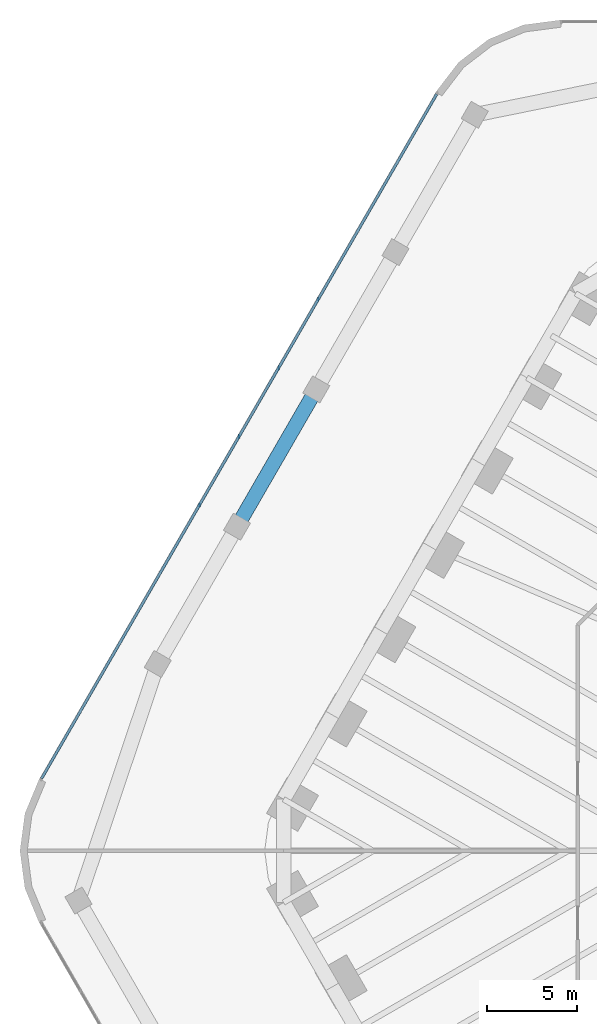
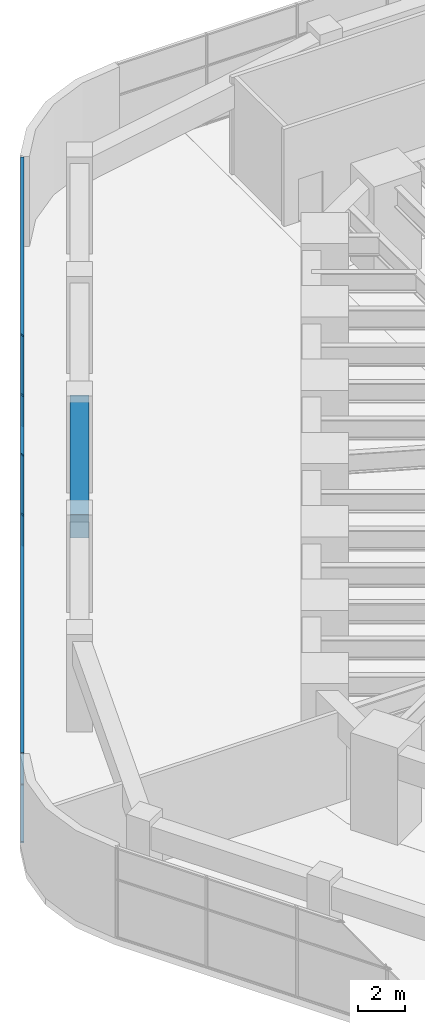
# One storey, part 15 of 31: 7 members, 1 beam, 1 element without a shape of its own.
"""IFC4 building model written with IfcOpenShell, lengths in metres."""

from ifc_helpers import new_model, si_unit, direction, frame, origin, origin_2d, place, context, subcontext, project, spatial, rectangle, extrude, material, material_profile, profile_set, type_object, element, aggregate, save


model = new_model("IFC4")

# Units and contexts
model_context = context("Model", 3, precision=1e-05, world=origin(), true_north=direction((0.0, 1.0)))
body_context = subcontext(model_context, "Body", "Model", "MODEL_VIEW")
ifc_project = project(units=[si_unit("LENGTHUNIT", "METRE"), si_unit("AREAUNIT", "SQUARE_METRE"), si_unit("VOLUMEUNIT", "CUBIC_METRE"), si_unit("PLANEANGLEUNIT", "RADIAN"), si_unit("MASSUNIT", "GRAM", prefix="KILO")], contexts=[model_context])

# Site, building, storey
site_placement = place(None, origin())
site = spatial("IfcSite", under=ifc_project, at=site_placement, CompositionType="ELEMENT")
building_placement = place(site_placement, origin())
building = spatial("IfcBuilding", under=site, at=building_placement, Name="Tarfa Lantern Tower", CompositionType="ELEMENT")
storey_placement = place(building_placement, frame((0.0, 0.0, 18.5)))
storey = spatial("IfcBuildingStorey", under=building, at=storey_placement, Name="L03", CompositionType="ELEMENT", Elevation=18.5)

# Curtain wall, members
ifc_material_1 = material(Name="Aluminium framed curtain wall", Category="aluminium")
curtain_wall_type = type_object("IfcCurtainWallType", Name="CW7 PODIUM GLAZING 4650", PredefinedType="USERDEFINED", material=ifc_material_1)
curtain_wall_placement = place(storey_placement, origin())
curtain_wall = element("IfcCurtainWall", 1, at=curtain_wall_placement, inside=storey, type_object=curtain_wall_type, Name="CW7 NW L03", ObjectType="CURTAIN WALL", PredefinedType="USERDEFINED")
ifc_material_2 = material(Name="Aluminium mullion", Category="aluminium")
ifc_material_profile_1 = material_profile(ifc_material_2, rectangle(XDim=0.06494140625, YDim=0.199951171875, at=origin_2d()), Name="AL MULLION 65x200")
ifc_profile_set_1 = profile_set([ifc_material_profile_1], Name="Aluminium mullion")
member_type_1 = type_object("IfcMemberType", Name="CWM1 MULLION 65x200", PredefinedType="MULLION", material=ifc_profile_set_1)
member_1_placement = place(storey_placement, frame((-35.36279296875, 30.550048828125, 0.0), z_axis=(0.0, 0.0, 1.0), x_axis=(1.0, 0.0, 0.0)))
member_1 = element("IfcMember", 2, at=member_1_placement, type_object=member_type_1, Name="CW7 mullion 4", PredefinedType="MULLION", context=body_context, shape_type="SweptSolid", body=[
    extrude(rectangle(XDim=0.06494140625, YDim=0.199951171875, at=origin_2d()), origin(), (0.0, 0.0, 1.0), 4.64990234375),
])
member_2_placement = place(storey_placement, frame((-37.556640625, 26.75, 0.0), z_axis=(0.0, 0.0, 1.0), x_axis=(1.0, 0.0, 0.0)))
member_2 = element("IfcMember", 3, at=member_2_placement, type_object=member_type_1, Name="CW7 mullion 5", PredefinedType="MULLION", context=body_context, shape_type="SweptSolid", body=[
    extrude(rectangle(XDim=0.06494140625, YDim=0.199951171875, at=origin_2d()), origin(), (0.0, 0.0, 1.0), 4.64990234375),
])
member_3_placement = place(storey_placement, frame((-39.75048828125, 22.949951171875, 0.0), z_axis=(0.0, 0.0, 1.0), x_axis=(1.0, 0.0, 0.0)))
member_3 = element("IfcMember", 4, at=member_3_placement, type_object=member_type_1, Name="CW7 mullion 6", PredefinedType="MULLION", context=body_context, shape_type="SweptSolid", body=[
    extrude(rectangle(XDim=0.06494140625, YDim=0.199951171875, at=origin_2d()), origin(), (0.0, 0.0, 1.0), 4.64990234375),
])
member_4_placement = place(storey_placement, frame((-41.944580078125, 19.14990234375, 0.0), z_axis=(0.0, 0.0, 1.0), x_axis=(1.0, 0.0, 0.0)))
member_4 = element("IfcMember", 5, at=member_4_placement, type_object=member_type_1, Name="CW7 mullion 7", PredefinedType="MULLION", context=body_context, shape_type="SweptSolid", body=[
    extrude(rectangle(XDim=0.06494140625, YDim=0.199951171875, at=origin_2d()), origin(), (0.0, 0.0, 1.0), 4.64990234375),
])
ifc_material_3 = material(Name="Aluminium transom", Category="aluminium")
ifc_material_profile_2 = material_profile(ifc_material_3, rectangle(XDim=0.14990234375, YDim=0.06494140625, at=origin_2d()), Name="AL TRANSOM 150x65")
ifc_profile_set_2 = profile_set([ifc_material_profile_2], Name="Aluminium transom")
member_type_2 = type_object("IfcMemberType", Name="CWT1 TRANSOM 150x65", PredefinedType="USERDEFINED", material=ifc_profile_set_2)
member_5_placement = place(storey_placement, frame((-28.8134765625, 41.893798828125, 0.032470703125), z_axis=(-0.499998927597, -0.866026022936, 0.0), x_axis=(0.866026022936, -0.499998927597, 0.0)))
member_5 = element("IfcMember", 6, at=member_5_placement, type_object=member_type_2, Name="CW7 transom 1.1", ObjectType="TRANSOM", PredefinedType="USERDEFINED", context=body_context, shape_type="SweptSolid", body=[
    extrude(rectangle(XDim=0.14990234375, YDim=0.06494140625, at=origin_2d()), origin(), (0.0, 0.0, 1.0), 43.74853515625),
])
member_6_placement = place(storey_placement, frame((-28.8134765625, 41.893798828125, 3.0), z_axis=(-0.499998927597, -0.866026022936, 0.0), x_axis=(0.866026022936, -0.499998927597, 0.0)))
member_6 = element("IfcMember", 7, at=member_6_placement, type_object=member_type_2, Name="CW7 transom 1.2", ObjectType="TRANSOM", PredefinedType="USERDEFINED", context=body_context, shape_type="SweptSolid", body=[
    extrude(rectangle(XDim=0.14990234375, YDim=0.06494140625, at=origin_2d()), origin(), (0.0, 0.0, 1.0), 43.74853515625),
])
member_7_placement = place(storey_placement, frame((-28.8134765625, 41.893798828125, 4.617431640625), z_axis=(-0.499998927597, -0.866026022936, 0.0), x_axis=(0.866026022936, -0.499998927597, 0.0)))
member_7 = element("IfcMember", 8, at=member_7_placement, type_object=member_type_2, Name="CW7 transom 1.3", ObjectType="TRANSOM", PredefinedType="USERDEFINED", context=body_context, shape_type="SweptSolid", body=[
    extrude(rectangle(XDim=0.14990234375, YDim=0.06494140625, at=origin_2d()), origin(), (0.0, 0.0, 1.0), 43.74853515625),
])
aggregate(curtain_wall, [member_1, member_2, member_3, member_4, member_5, member_6, member_7])

# Beam
ifc_material_4 = material(Name="Concrete C80/95", Category="concrete")
ifc_material_profile_3 = material_profile(ifc_material_4, rectangle(XDim=0.800048828125, YDim=1.199951171875, at=origin_2d()), Name="RC 800x1200")
ifc_profile_set_3 = profile_set([ifc_material_profile_3], Name="Concrete C80/95")
beam_type = type_object("IfcBeamType", Name="PB2 RC 800x1200", PredefinedType="BEAM", material=ifc_profile_set_3)
beam_placement = place(storey_placement, frame((-35.478271484375, 25.550048828125, 4.050048828125), z_axis=(-0.499980931779, -0.866036412547, 0.0), x_axis=(0.866036412547, -0.499980931779, 0.0)))
element("IfcBeam", 9, at=beam_placement, inside=storey, type_object=beam_type, Name="Podium ring beam NW2", PredefinedType="BEAM", context=body_context, shape_type="SweptSolid", body=[
    extrude(rectangle(XDim=0.800048828125, YDim=1.199951171875, at=origin_2d()), origin(), (0.0, 0.0, 1.0), 8.775634765625),
])

save(model, "model.ifc")
